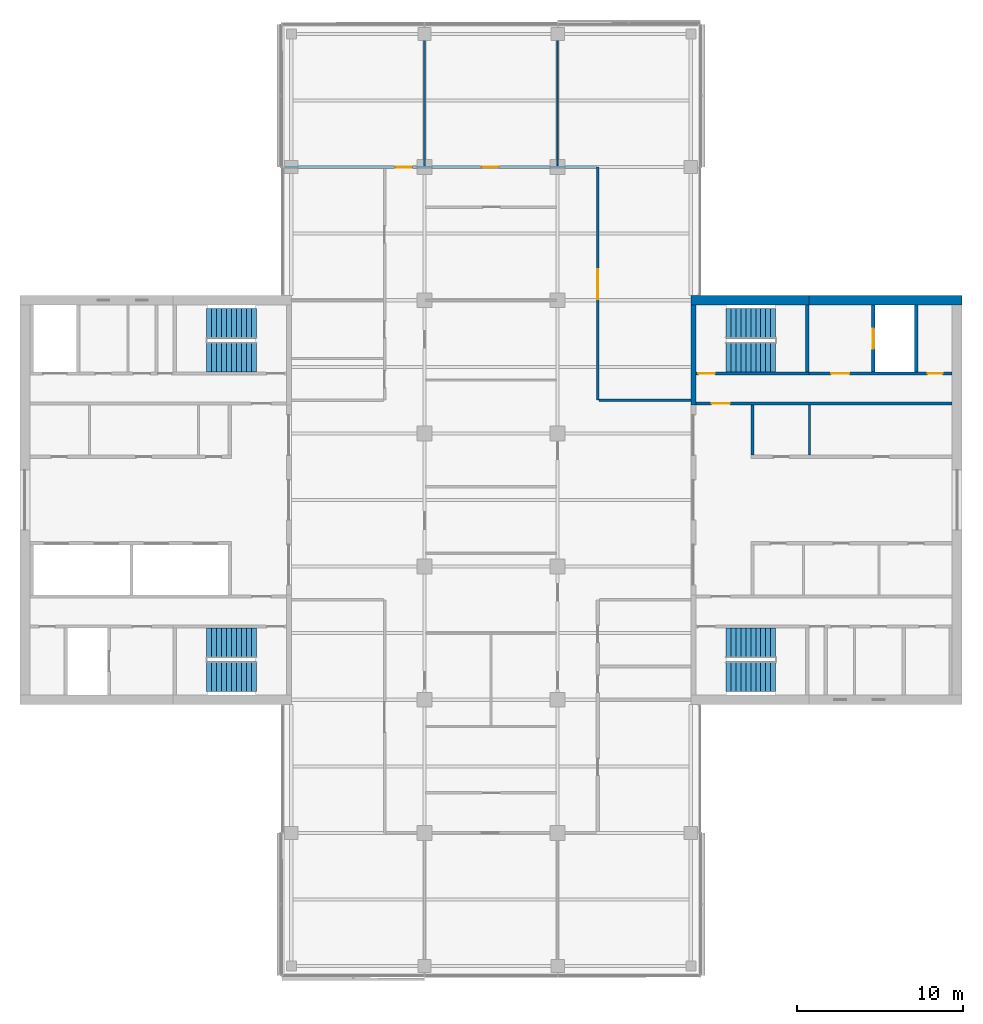
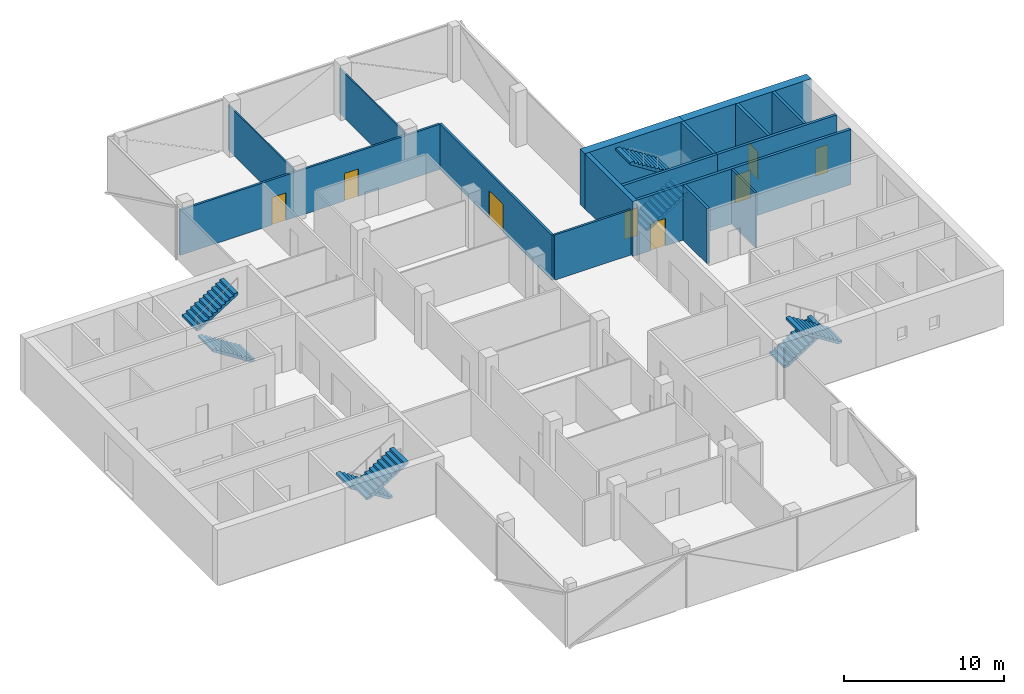
# One storey, part 12 of 15: 16 walls, 8 doors, 8 stair flights, 8 openings, 4 elements without a shape of their own.
"""IFC4 building model written with IfcOpenShell, lengths in metres."""

from ifc_helpers import new_model, si_unit, direction, frame, frame_2d, origin, place, context, subcontext, project, spatial, polyline, rectangle, outline, extrude, material, layer, layer_set, constituent, constituent_set, type_object, element, fill, aggregate, save


model = new_model("IFC4")

# Units and contexts
model_context = context("Model", 3, precision=1e-05, world=origin(), true_north=direction((0.0, 1.0)))
body_context = subcontext(model_context, "Body", "Model", "MODEL_VIEW")
ifc_project = project(units=[si_unit("LENGTHUNIT", "METRE"), si_unit("AREAUNIT", "SQUARE_METRE"), si_unit("VOLUMEUNIT", "CUBIC_METRE"), si_unit("PLANEANGLEUNIT", "RADIAN"), si_unit("MASSUNIT", "GRAM", prefix="KILO")], contexts=[model_context])

# Site, building, storey
site_placement = place(None, origin())
site = spatial("IfcSite", under=ifc_project, at=site_placement, CompositionType="ELEMENT")
building_placement = place(site_placement, origin())
building = spatial("IfcBuilding", under=site, at=building_placement, Name="Crosswind Convention Tower", CompositionType="ELEMENT")
storey_placement = place(building_placement, frame((0.0, 0.0, 191.5)))
storey = spatial("IfcBuildingStorey", under=building, at=storey_placement, Name="L40", CompositionType="ELEMENT", Elevation=191.5)

# Walls
ifc_material_1 = material(Name="Concrete C50/60", Category="concrete")
ifc_layer_1 = layer(ifc_material_1, 0.300048828125)
ifc_layer_set_1 = layer_set([ifc_layer_1], Name="Concrete C50/60")
wall_type_1 = type_object("IfcWallType", Name="Concrete inner core wall 300", PredefinedType="SHEAR", material=ifc_layer_set_1)
wall_1_placement = place(storey_placement, frame((137.14990234375, 105.699951171875, 0.0), z_axis=(0.0, 0.0, 1.0), x_axis=(0.0, 1.0, 0.0)))
element("IfcWall", 1, at=wall_1_placement, inside=storey, type_object=wall_type_1, Name="Wall EP E L40", PredefinedType="SHEAR", context=body_context, shape_type="SweptSolid", body=[
    extrude(rectangle(XDim=6.0, YDim=0.300048828125, at=frame_2d((3.0, 0.0))), origin(), (0.0, 0.0, 1.0), 4.199951171875),
])
ifc_layer_2 = layer(ifc_material_1, 0.199951171875)
ifc_layer_set_2 = layer_set([ifc_layer_2], Name="Concrete C50/60")
wall_type_2 = type_object("IfcWallType", Name="Concrete shaft and stair wall 200", PredefinedType="SHEAR", material=ifc_layer_set_2)
wall_2_placement = place(storey_placement, frame((140.699951171875, 102.699951171875, 0.0), z_axis=(0.0, 0.0, 1.0), x_axis=(0.0, 1.0, 0.0)))
element("IfcWall", 2, at=wall_2_placement, inside=storey, type_object=wall_type_2, Name="Wall RPEND E L40", PredefinedType="SHEAR", context=body_context, shape_type="SweptSolid", body=[
    extrude(rectangle(XDim=3.0, YDim=0.199951171875, at=frame_2d((1.5, 0.0))), origin(), (0.0, 0.0, 1.0), 4.199951171875),
])

# Wall, opening, door
wall_3_placement = place(storey_placement, frame((137.300048828125, 105.800048828125, 0.0), z_axis=(0.0, 0.0, 1.0), x_axis=(1.0, 0.0, 0.0)))
wall_3 = element("IfcWall", 3, at=wall_3_placement, inside=storey, type_object=wall_type_2, Name="Wall HP E L40", PredefinedType="SHEAR", context=body_context, shape_type="SweptSolid", body=[
    extrude(rectangle(XDim=15.39990234375, YDim=0.199951171875, at=frame_2d((7.699951171875, 0.0))), origin(), (0.0, 0.0, 1.0), 4.199951171875),
])
opening_1_placement = place(wall_3_placement, frame((0.949951171875, 0.0, 0.0)))
opening_1 = element("IfcOpeningElement", 4, at=opening_1_placement, cuts=wall_3, Name="Opening D104", PredefinedType="OPENING", context=body_context, shape_type="SweptSolid", body=[
    extrude(rectangle(XDim=1.10009765625, YDim=2.10009765625, at=frame_2d((0.550048828125, 1.050048828125))), frame((0.0, 0.10986328125, 0.0), z_axis=(0.0, -1.0, 0.0), x_axis=(1.0, 0.0, 0.0)), (0.0, 0.0, 1.0), 0.219970703125),
])
ifc_material_2 = material(Name="Steel fire door", Category="steel")
door_type_1 = type_object("IfcDoorType", Name="Fire-rated single door 1100x2100", OperationType="NOTDEFINED", PredefinedType="DOOR", material=ifc_material_2)
door_1_placement = place(opening_1_placement, origin())
door_1 = element("IfcDoor", 5, at=door_1_placement, inside=storey, type_object=door_type_1, Name="Corridor door L40", ObjectType="D104", OperationType="SINGLE_SWING_LEFT", OverallHeight=2.10009765625, OverallWidth=1.10009765625, PredefinedType="DOOR", context=body_context, shape_type="SweptSolid", body=[
    extrude(rectangle(XDim=1.10009765625, YDim=2.10009765625, at=frame_2d((0.550048828125, 1.050048828125))), frame((0.0, 0.02490234375, 0.0), z_axis=(0.0, -1.0, 0.0), x_axis=(1.0, 0.0, 0.0)), (0.0, 0.0, 1.0), 0.050048828125),
])
fill(opening_1, door_1)

# Wall
wall_4_placement = place(storey_placement, frame((144.0, 107.699951171875, 0.0), z_axis=(0.0, 0.0, 1.0), x_axis=(0.0, 1.0, 0.0)))
element("IfcWall", 6, at=wall_4_placement, inside=storey, type_object=wall_type_2, Name="Wall PSE E L40", PredefinedType="SHEAR", context=body_context, shape_type="SweptSolid", body=[
    extrude(rectangle(XDim=4.0, YDim=0.199951171875, at=frame_2d((2.0, 0.0))), origin(), (0.0, 0.0, 1.0), 4.199951171875),
])

# Wall, opening, door
wall_5_placement = place(storey_placement, frame((147.949951171875, 107.699951171875, 0.0), z_axis=(0.0, 0.0, 1.0), x_axis=(0.0, 1.0, 0.0)))
wall_5 = element("IfcWall", 7, at=wall_5_placement, inside=storey, type_object=wall_type_2, Name="Wall PFLW E L40", PredefinedType="SHEAR", context=body_context, shape_type="SweptSolid", body=[
    extrude(rectangle(XDim=4.0, YDim=0.199951171875, at=frame_2d((2.0, 0.0))), origin(), (0.0, 0.0, 1.0), 4.199951171875),
])
opening_2_placement = place(wall_5_placement, frame((1.39990234375, 0.0, 0.0)))
opening_2 = element("IfcOpeningElement", 8, at=opening_2_placement, cuts=wall_5, Name="Opening LD1", PredefinedType="OPENING", context=body_context, shape_type="SweptSolid", body=[
    extrude(rectangle(XDim=1.199951171875, YDim=2.10009765625, at=frame_2d((0.60009765625, 1.050048828125))), frame((0.0, 0.10986328125, 0.0), z_axis=(0.0, -1.0, 0.0), x_axis=(1.0, 0.0, 0.0)), (0.0, 0.0, 1.0), 0.219970703125),
])
ifc_material_3 = material(Name="Stainless steel", Category="steel")
door_type_2 = type_object("IfcDoorType", Name="Lift landing door 1200x2100", OperationType="DOUBLE_DOOR_SLIDING", PredefinedType="DOOR", material=ifc_material_3)
door_2_placement = place(opening_2_placement, origin())
door_2 = element("IfcDoor", 9, at=door_2_placement, inside=storey, type_object=door_type_2, Name="Landing door FF1 L40", ObjectType="LD1", OperationType="DOUBLE_DOOR_SLIDING", OverallHeight=2.10009765625, OverallWidth=1.199951171875, PredefinedType="DOOR", context=body_context, shape_type="SweptSolid", body=[
    extrude(rectangle(XDim=1.199951171875, YDim=2.10009765625, at=frame_2d((0.60009765625, 1.050048828125))), frame((0.0, 0.02490234375, 0.0), z_axis=(0.0, -1.0, 0.0), x_axis=(1.0, 0.0, 0.0)), (0.0, 0.0, 1.0), 0.050048828125),
])
fill(opening_2, door_2)

# Wall
wall_6_placement = place(storey_placement, frame((150.550048828125, 107.699951171875, 0.0), z_axis=(0.0, 0.0, 1.0), x_axis=(0.0, 1.0, 0.0)))
element("IfcWall", 10, at=wall_6_placement, inside=storey, type_object=wall_type_2, Name="Wall PFSE E L40", PredefinedType="SHEAR", context=body_context, shape_type="SweptSolid", body=[
    extrude(rectangle(XDim=4.0, YDim=0.199951171875, at=frame_2d((2.0, 0.0))), origin(), (0.0, 0.0, 1.0), 4.199951171875),
])

# Wall, opening, door
wall_7_placement = place(storey_placement, frame((137.300048828125, 107.60009765625, 0.0), z_axis=(0.0, 0.0, 1.0), x_axis=(1.0, 0.0, 0.0)))
wall_7 = element("IfcWall", 11, at=wall_7_placement, inside=storey, type_object=wall_type_2, Name="Wall PCW E L40", PredefinedType="SHEAR", context=body_context, shape_type="SweptSolid", body=[
    extrude(rectangle(XDim=6.800048828125, YDim=0.199951171875, at=frame_2d((3.39990234375, 0.0))), origin(), (0.0, 0.0, 1.0), 4.199951171875),
])
opening_3_placement = place(wall_7_placement, frame((0.14990234375, 0.0, 0.0)))
opening_3 = element("IfcOpeningElement", 12, at=opening_3_placement, cuts=wall_7, Name="Opening D103", PredefinedType="OPENING", context=body_context, shape_type="SweptSolid", body=[
    extrude(rectangle(XDim=1.0, YDim=2.10009765625, at=frame_2d((0.5, 1.050048828125))), frame((0.0, 0.10986328125, 0.0), z_axis=(0.0, -1.0, 0.0), x_axis=(1.0, 0.0, 0.0)), (0.0, 0.0, 1.0), 0.219970703125),
])
door_type_3 = type_object("IfcDoorType", Name="Fire-rated single door 1000x2100", OperationType="NOTDEFINED", PredefinedType="DOOR", material=ifc_material_2)
door_3_placement = place(opening_3_placement, origin())
door_3 = element("IfcDoor", 13, at=door_3_placement, inside=storey, type_object=door_type_3, Name="Stair ST1 door L40", ObjectType="D103", OperationType="SINGLE_SWING_LEFT", OverallHeight=2.10009765625, OverallWidth=1.0, PredefinedType="DOOR", context=body_context, shape_type="SweptSolid", body=[
    extrude(rectangle(XDim=1.0, YDim=2.10009765625, at=frame_2d((0.5, 1.050048828125))), frame((0.0, 0.02490234375, 0.0), z_axis=(0.0, -1.0, 0.0), x_axis=(1.0, 0.0, 0.0)), (0.0, 0.0, 1.0), 0.050048828125),
])
fill(opening_3, door_3)

# Wall, openings, doors
wall_8_placement = place(storey_placement, frame((144.10009765625, 107.60009765625, 0.0), z_axis=(0.0, 0.0, 1.0), x_axis=(1.0, 0.0, 0.0)))
wall_8 = element("IfcWall", 14, at=wall_8_placement, inside=storey, type_object=wall_type_2, Name="Wall PCX E L40", PredefinedType="SHEAR", context=body_context, shape_type="SweptSolid", body=[
    extrude(rectangle(XDim=8.599853515625, YDim=0.199951171875, at=frame_2d((4.2998046875, 0.0))), origin(), (0.0, 0.0, 1.0), 4.199951171875),
])
opening_4_placement = place(wall_8_placement, frame((1.324951171875, 0.0, 0.0)))
opening_4 = element("IfcOpeningElement", 15, at=opening_4_placement, cuts=wall_8, Name="Opening D104", PredefinedType="OPENING", context=body_context, shape_type="SweptSolid", body=[
    extrude(rectangle(XDim=1.10009765625, YDim=2.10009765625, at=frame_2d((0.550048828125, 1.050048828125))), frame((0.0, 0.10986328125, 0.0), z_axis=(0.0, -1.0, 0.0), x_axis=(1.0, 0.0, 0.0)), (0.0, 0.0, 1.0), 0.219970703125),
])
opening_5_placement = place(wall_8_placement, frame((7.125, 0.0, 0.0)))
opening_5 = element("IfcOpeningElement", 16, at=opening_5_placement, cuts=wall_8, Name="Opening D106", PredefinedType="OPENING", context=body_context, shape_type="SweptSolid", body=[
    extrude(rectangle(XDim=0.89990234375, YDim=2.10009765625, at=frame_2d((0.449951171875, 1.050048828125))), frame((0.0, 0.10986328125, 0.0), z_axis=(0.0, -1.0, 0.0), x_axis=(1.0, 0.0, 0.0)), (0.0, 0.0, 1.0), 0.219970703125),
])
door_4_placement = place(opening_4_placement, origin())
door_4 = element("IfcDoor", 17, at=door_4_placement, inside=storey, type_object=door_type_1, Name="Fire-fighting lobby FF1 door L40", ObjectType="D104", OperationType="SINGLE_SWING_RIGHT", OverallHeight=2.10009765625, OverallWidth=1.10009765625, PredefinedType="DOOR", context=body_context, shape_type="SweptSolid", body=[
    extrude(rectangle(XDim=1.10009765625, YDim=2.10009765625, at=frame_2d((0.550048828125, 1.050048828125))), frame((0.0, 0.02490234375, 0.0), z_axis=(0.0, -1.0, 0.0), x_axis=(1.0, 0.0, 0.0)), (0.0, 0.0, 1.0), 0.050048828125),
])
fill(opening_4, door_4)
ifc_material_4 = material(Name="Timber door", Category="wood")
door_type_4 = type_object("IfcDoorType", Name="Single leaf door 900x2100", OperationType="NOTDEFINED", PredefinedType="DOOR", material=ifc_material_4)
door_5_placement = place(opening_5_placement, origin())
door_5 = element("IfcDoor", 18, at=door_5_placement, inside=storey, type_object=door_type_4, Name="Door to comms room L40", ObjectType="D106", OperationType="SINGLE_SWING_RIGHT", OverallHeight=2.10009765625, OverallWidth=0.89990234375, PredefinedType="DOOR", context=body_context, shape_type="SweptSolid", body=[
    extrude(rectangle(XDim=0.89990234375, YDim=2.10009765625, at=frame_2d((0.449951171875, 1.050048828125))), frame((0.0, 0.02490234375, 0.0), z_axis=(0.0, -1.0, 0.0), x_axis=(1.0, 0.0, 0.0)), (0.0, 0.0, 1.0), 0.050048828125),
])
fill(opening_5, door_5)

# Walls
ifc_material_5 = material(Name="Gypsum plasterboard partition", Category="gypsum")
ifc_layer_3 = layer(ifc_material_5, 0.125)
ifc_layer_set_3 = layer_set([ifc_layer_3], Name="Drywall partition wall 125")
wall_type_3 = type_object("IfcWallType", Name="Drywall partition wall 125", PredefinedType="PARTITIONING", material=ifc_layer_set_3)
wall_9_placement = place(storey_placement, frame((144.132080078125, 102.699951171875, 0.0), z_axis=(0.0, 0.0, 1.0), x_axis=(0.0, 1.0, 0.0)))
element("IfcWall", 19, at=wall_9_placement, inside=storey, type_object=wall_type_3, Name="Wall RPP1 E L40", PredefinedType="PARTITIONING", context=body_context, shape_type="SweptSolid", body=[
    extrude(rectangle(XDim=3.0, YDim=0.125, at=frame_2d((1.5, 0.0))), origin(), (0.0, 0.0, 1.0), 4.199951171875),
])
ifc_material_6 = material(Name="Plasterboard partition", Category="gypsum")
ifc_layer_4 = layer(ifc_material_6, 0.10009765625)
ifc_layer_set_4 = layer_set([ifc_layer_4], Name="PARTITION 100 METAL STUD")
wall_type_4 = type_object("IfcWallType", Name="PARTITION 100 METAL STUD", PredefinedType="PARTITIONING", material=ifc_layer_set_4)
for number, where, z_axis, x_axis, name in (
    (20, (121.0, 120.074951171875, 0.0), (0.0, 0.0, 1.0), (0.0, 1.0, 0.0), "Partition wall WT40"),
    (21, (129.0, 120.074951171875, 0.0), (0.0, 0.0, 1.0), (0.0, 1.0, 0.0), "Partition wall WT40"),
):
    element("IfcWall", number, at=place(storey_placement, frame(where, z_axis=z_axis, x_axis=x_axis)), inside=storey, type_object=wall_type_4, Name=name, PredefinedType="PARTITIONING", context=body_context, shape_type="SweptSolid", body=[
        extrude(rectangle(XDim=8.295166015625, YDim=0.10009765625, at=frame_2d((4.1474609375, 0.0))), origin(), (0.0, 0.0, 1.0), 3.439697265625),
    ])

# Wall, opening, door
ifc_material_7 = material(Name="Fire-board partition with mineral wool", Category="gypsum")
ifc_layer_5 = layer(ifc_material_7, 0.14990234375)
ifc_layer_set_5 = layer_set([ifc_layer_5], Name="TENANCY WALL 150 TWO-HOUR BOARD")
wall_type_5 = type_object("IfcWallType", Name="TENANCY WALL 150 TWO-HOUR BOARD", PredefinedType="PARTITIONING", material=ifc_layer_set_5)
wall_10_placement = place(storey_placement, frame((131.39990234375, 106.0, 0.0), z_axis=(0.0, 0.0, 1.0), x_axis=(0.0, 1.0, 0.0)))
wall_10 = element("IfcWall", 22, at=wall_10_placement, inside=storey, type_object=wall_type_5, Name="Tenancy wall WT41", PredefinedType="PARTITIONING", context=body_context, shape_type="SweptSolid", body=[
    extrude(rectangle(XDim=14.0, YDim=0.14990234375, at=frame_2d((7.0, 0.0))), origin(), (0.0, 0.0, 1.0), 3.439697265625),
])
opening_6_placement = place(wall_10_placement, frame((6.050048828125, 0.0, 0.0)))
opening_6 = element("IfcOpeningElement", 23, at=opening_6_placement, cuts=wall_10, Name="Opening L40-50", PredefinedType="OPENING", context=body_context, shape_type="SweptSolid", body=[
    extrude(rectangle(XDim=1.800048828125, YDim=2.10009765625, at=frame_2d((0.89990234375, 1.050048828125))), frame((0.0, 0.0849609375, 0.0), z_axis=(0.0, -1.0, 0.0), x_axis=(1.0, 0.0, 0.0)), (0.0, 0.0, 1.0), 0.169921875),
])
ifc_material_8 = material(Name="Timber fire door", Category="wood")
door_type_5 = type_object("IfcDoorType", Name="TENANCY ENTRANCE DOUBLE DOOR 1800X2100 FD30S", OperationType="DOUBLE_DOOR_SINGLE_SWING", PredefinedType="DOOR", material=ifc_material_8)
door_6_placement = place(opening_6_placement, frame((1.800048828125, 0.0, 0.0), z_axis=(0.0, 0.0, 1.0), x_axis=(-1.0, 0.0, 0.0)))
door_6 = element("IfcDoor", 24, at=door_6_placement, inside=storey, type_object=door_type_5, Name="Door L40-50", ObjectType="D42", OperationType="DOUBLE_DOOR_SINGLE_SWING", OverallHeight=2.10009765625, OverallWidth=1.800048828125, PredefinedType="DOOR", context=body_context, shape_type="SweptSolid", body=[
    extrude(rectangle(XDim=1.800048828125, YDim=2.10009765625, at=frame_2d((0.89990234375, 1.050048828125))), frame((0.0, 0.02490234375, 0.0), z_axis=(0.0, -1.0, 0.0), x_axis=(1.0, 0.0, 0.0)), (0.0, 0.0, 1.0), 0.050048828125),
])
fill(opening_6, door_6)

# Wall
wall_11_placement = place(storey_placement, frame((131.47509765625, 106.0, 0.0), z_axis=(0.0, 0.0, 1.0), x_axis=(1.0, 0.0, 0.0)))
element("IfcWall", 25, at=wall_11_placement, inside=storey, type_object=wall_type_5, Name="Tenancy wall WT41", PredefinedType="PARTITIONING", context=body_context, shape_type="SweptSolid", body=[
    extrude(rectangle(XDim=5.52490234375, YDim=0.14990234375, at=frame_2d((2.762451171875, 0.0))), origin(), (0.0, 0.0, 1.0), 3.439697265625),
])

# Wall, openings, doors
wall_12_placement = place(storey_placement, frame((112.6298828125, 120.0, 0.0), z_axis=(0.0, 0.0, 1.0), x_axis=(1.0, 0.0, 0.0)))
wall_12 = element("IfcWall", 26, at=wall_12_placement, inside=storey, type_object=wall_type_5, Name="Tenancy wall WT41", PredefinedType="PARTITIONING", context=body_context, shape_type="SweptSolid", body=[
    extrude(rectangle(XDim=18.695068359375, YDim=0.14990234375, at=frame_2d((9.34765625, 0.0))), origin(), (0.0, 0.0, 1.0), 3.439697265625),
])
opening_7_placement = place(wall_12_placement, frame((6.6201171875, 0.0, 0.0)))
opening_7 = element("IfcOpeningElement", 27, at=opening_7_placement, cuts=wall_12, Name="Opening L40-58", PredefinedType="OPENING", context=body_context, shape_type="SweptSolid", body=[
    extrude(rectangle(XDim=1.0, YDim=2.10009765625, at=frame_2d((0.5, 1.050048828125))), frame((0.0, 0.0849609375, 0.0), z_axis=(0.0, -1.0, 0.0), x_axis=(1.0, 0.0, 0.0)), (0.0, 0.0, 1.0), 0.169921875),
])
opening_8_placement = place(wall_12_placement, frame((11.820068359375, 0.0, 0.0)))
opening_8 = element("IfcOpeningElement", 28, at=opening_8_placement, cuts=wall_12, Name="Opening L40-59", PredefinedType="OPENING", context=body_context, shape_type="SweptSolid", body=[
    extrude(rectangle(XDim=1.0, YDim=2.10009765625, at=frame_2d((0.5, 1.050048828125))), frame((0.0, 0.0849609375, 0.0), z_axis=(0.0, -1.0, 0.0), x_axis=(1.0, 0.0, 0.0)), (0.0, 0.0, 1.0), 0.169921875),
])
door_type_6 = type_object("IfcDoorType", Name="TENANCY ENTRANCE DOOR 1000X2100 FD30S", OperationType="NOTDEFINED", PredefinedType="DOOR", material=ifc_material_8)
door_7_placement = place(opening_7_placement, origin())
door_7 = element("IfcDoor", 29, at=door_7_placement, inside=storey, type_object=door_type_6, Name="Door L40-58", ObjectType="D41", OperationType="SINGLE_SWING_RIGHT", OverallHeight=2.10009765625, OverallWidth=1.0, PredefinedType="DOOR", context=body_context, shape_type="SweptSolid", body=[
    extrude(rectangle(XDim=1.0, YDim=2.10009765625, at=frame_2d((0.5, 1.050048828125))), frame((0.0, 0.02490234375, 0.0), z_axis=(0.0, -1.0, 0.0), x_axis=(1.0, 0.0, 0.0)), (0.0, 0.0, 1.0), 0.050048828125),
])
fill(opening_7, door_7)
door_8_placement = place(opening_8_placement, frame((1.0, 0.0, 0.0), z_axis=(0.0, 0.0, 1.0), x_axis=(-1.0, 0.0, 0.0)))
door_8 = element("IfcDoor", 30, at=door_8_placement, inside=storey, type_object=door_type_6, Name="Door L40-59", ObjectType="D41", OperationType="SINGLE_SWING_RIGHT", OverallHeight=2.10009765625, OverallWidth=1.0, PredefinedType="DOOR", context=body_context, shape_type="SweptSolid", body=[
    extrude(rectangle(XDim=1.0, YDim=2.10009765625, at=frame_2d((0.5, 1.050048828125))), frame((0.0, 0.02490234375, 0.0), z_axis=(0.0, -1.0, 0.0), x_axis=(1.0, 0.0, 0.0)), (0.0, 0.0, 1.0), 0.050048828125),
])
fill(opening_8, door_8)

# Walls
ifc_material_9 = material(Name="Concrete C60/75", Category="concrete")
ifc_constituent_1 = constituent(ifc_material_9, Name="Structure")
ifc_material_10 = material(Name="Terracotta rainscreen", Category="ceramic")
ifc_constituent_2 = constituent(ifc_material_10, Name="Facing")
ifc_constituent_set = constituent_set(constituents=[ifc_constituent_1, ifc_constituent_2], Name="Concrete C60/75, Terracotta rainscreen")
wall_type_6 = type_object("IfcWallType", Name="Terracotta rainscreen on concrete core wall 600", PredefinedType="SHEAR", material=ifc_constituent_set)
wall_13_placement = place(storey_placement, frame((137.0, 112.0, 0.0), z_axis=(0.0, 0.0, 1.0), x_axis=(1.0, 0.0, 0.0)))
element("IfcWall", 31, at=wall_13_placement, inside=storey, type_object=wall_type_6, Name="Wall N1 E L40", PredefinedType="SHEAR", context=body_context, shape_type="SweptSolid", body=[
    extrude(rectangle(XDim=7.10009765625, YDim=0.60009765625, at=frame_2d((3.550048828125, 0.0))), origin(), (0.0, 0.0, 1.0), 4.199951171875),
])
wall_14_placement = place(storey_placement, frame((144.10009765625, 112.0, 0.0), z_axis=(0.0, 0.0, 1.0), x_axis=(1.0, 0.0, 0.0)))
element("IfcWall", 32, at=wall_14_placement, inside=storey, type_object=wall_type_6, Name="Wall N2 E L40", PredefinedType="SHEAR", context=body_context, shape_type="SweptSolid", body=[
    extrude(rectangle(XDim=9.199951171875, YDim=0.60009765625, at=frame_2d((4.60009765625, 0.0))), origin(), (0.0, 0.0, 1.0), 4.199951171875),
])

# Stair, stair flights
ifc_material_11 = material(Name="Concrete C40/50", Category="concrete")
stair_type = type_object("IfcStairType", Name="Exit stair 1800 wide, 2 flights of 11 risers", PredefinedType="HALF_TURN_STAIR", material=ifc_material_11)
stair_1_placement = place(storey_placement, origin())
stair_1 = element("IfcStair", 33, at=stair_1_placement, inside=storey, type_object=stair_type, Name="Exit stair ST1 L40", ObjectType="ST5", PredefinedType="HALF_TURN_STAIR")
stair_flight_type = type_object("IfcStairFlightType", Name="Stair flight 1800 wide, 11 risers (SF4)", PredefinedType="STRAIGHT", material=ifc_material_11)
stair_flight_1_placement = place(storey_placement, frame((139.10009765625, 108.60009765625, 0.0), z_axis=(0.0, 0.0, 1.0), x_axis=(1.0, 0.0, 0.0)))
stair_flight_1 = element("IfcStairFlight", 34, at=stair_flight_1_placement, type_object=stair_flight_type, Name="ST1 flight 1", NumberOfRisers=11, NumberOfTreads=10, PredefinedType="STRAIGHT", RiserHeight=0.190909091, TreadLength=0.3, context=body_context, shape_type="SweptSolid", body=[
    extrude(outline(polyline([(0.0, 0.0), (0.0, 0.19091796875), (0.300048828125, 0.19091796875), (0.300048828125, 0.3818359375), (0.60009765625, 0.3818359375), (0.60009765625, 0.57275390625), (0.89990234375, 0.57275390625), (0.89990234375, 0.763671875), (1.199951171875, 0.763671875), (1.199951171875, 0.95458984375), (1.5, 0.95458984375), (1.5, 1.1455078125), (1.800048828125, 1.1455078125), (1.800048828125, 1.33642578125), (2.10009765625, 1.33642578125), (2.10009765625, 1.52734375), (2.39990234375, 1.52734375), (2.39990234375, 1.71826171875), (2.699951171875, 1.71826171875), (2.699951171875, 1.9091796875), (3.0, 1.9091796875), (3.0, 2.10009765625), (3.0, 1.7314453125), (0.279296875, 0.0), (0.0, 0.0)])), frame((0.0, 0.89990234375, 0.0), z_axis=(0.0, -1.0, 0.0), x_axis=(1.0, 0.0, 0.0)), (0.0, 0.0, 1.0), 1.800048828125),
])
stair_flight_2_placement = place(storey_placement, frame((142.10009765625, 110.60009765625, 2.10009765625), z_axis=(0.0, 0.0, 1.0), x_axis=(-1.0, 0.0, 0.0)))
stair_flight_2 = element("IfcStairFlight", 35, at=stair_flight_2_placement, type_object=stair_flight_type, Name="ST1 flight 2", NumberOfRisers=11, NumberOfTreads=10, PredefinedType="STRAIGHT", RiserHeight=0.190909091, TreadLength=0.3, context=body_context, shape_type="SweptSolid", body=[
    extrude(outline(polyline([(0.0, 0.0), (0.0, 0.19091796875), (0.300048828125, 0.19091796875), (0.300048828125, 0.3818359375), (0.60009765625, 0.3818359375), (0.60009765625, 0.57275390625), (0.89990234375, 0.57275390625), (0.89990234375, 0.763671875), (1.199951171875, 0.763671875), (1.199951171875, 0.95458984375), (1.5, 0.95458984375), (1.5, 1.1455078125), (1.800048828125, 1.1455078125), (1.800048828125, 1.33642578125), (2.10009765625, 1.33642578125), (2.10009765625, 1.52734375), (2.39990234375, 1.52734375), (2.39990234375, 1.71826171875), (2.699951171875, 1.71826171875), (2.699951171875, 1.9091796875), (3.0, 1.9091796875), (3.0, 2.10009765625), (3.0, 1.7314453125), (0.279296875, 0.0), (0.0, 0.0)])), frame((0.0, 0.89990234375, 0.0), z_axis=(0.0, -1.0, 0.0), x_axis=(1.0, 0.0, 0.0)), (0.0, 0.0, 1.0), 1.800048828125),
])
aggregate(stair_1, [stair_flight_1, stair_flight_2])

stair_2_placement = place(storey_placement, origin())
stair_2 = element("IfcStair", 36, at=stair_2_placement, inside=storey, type_object=stair_type, Name="Exit stair ST2 L40", ObjectType="ST5", PredefinedType="HALF_TURN_STAIR")
stair_flight_3_placement = place(storey_placement, frame((139.10009765625, 91.39990234375, 0.0), z_axis=(0.0, 0.0, 1.0), x_axis=(1.0, 0.0, 0.0)))
stair_flight_3 = element("IfcStairFlight", 37, at=stair_flight_3_placement, type_object=stair_flight_type, Name="ST2 flight 1", NumberOfRisers=11, NumberOfTreads=10, PredefinedType="STRAIGHT", RiserHeight=0.190909091, TreadLength=0.3, context=body_context, shape_type="SweptSolid", body=[
    extrude(outline(polyline([(0.0, 0.0), (0.0, 0.19091796875), (0.300048828125, 0.19091796875), (0.300048828125, 0.3818359375), (0.60009765625, 0.3818359375), (0.60009765625, 0.57275390625), (0.89990234375, 0.57275390625), (0.89990234375, 0.763671875), (1.199951171875, 0.763671875), (1.199951171875, 0.95458984375), (1.5, 0.95458984375), (1.5, 1.1455078125), (1.800048828125, 1.1455078125), (1.800048828125, 1.33642578125), (2.10009765625, 1.33642578125), (2.10009765625, 1.52734375), (2.39990234375, 1.52734375), (2.39990234375, 1.71826171875), (2.699951171875, 1.71826171875), (2.699951171875, 1.9091796875), (3.0, 1.9091796875), (3.0, 2.10009765625), (3.0, 1.7314453125), (0.279296875, 0.0), (0.0, 0.0)])), frame((0.0, 0.89990234375, 0.0), z_axis=(0.0, -1.0, 0.0), x_axis=(1.0, 0.0, 0.0)), (0.0, 0.0, 1.0), 1.800048828125),
])
stair_flight_4_placement = place(storey_placement, frame((142.10009765625, 89.39990234375, 2.10009765625), z_axis=(0.0, 0.0, 1.0), x_axis=(-1.0, 0.0, 0.0)))
stair_flight_4 = element("IfcStairFlight", 38, at=stair_flight_4_placement, type_object=stair_flight_type, Name="ST2 flight 2", NumberOfRisers=11, NumberOfTreads=10, PredefinedType="STRAIGHT", RiserHeight=0.190909091, TreadLength=0.3, context=body_context, shape_type="SweptSolid", body=[
    extrude(outline(polyline([(0.0, 0.0), (0.0, 0.19091796875), (0.300048828125, 0.19091796875), (0.300048828125, 0.3818359375), (0.60009765625, 0.3818359375), (0.60009765625, 0.57275390625), (0.89990234375, 0.57275390625), (0.89990234375, 0.763671875), (1.199951171875, 0.763671875), (1.199951171875, 0.95458984375), (1.5, 0.95458984375), (1.5, 1.1455078125), (1.800048828125, 1.1455078125), (1.800048828125, 1.33642578125), (2.10009765625, 1.33642578125), (2.10009765625, 1.52734375), (2.39990234375, 1.52734375), (2.39990234375, 1.71826171875), (2.699951171875, 1.71826171875), (2.699951171875, 1.9091796875), (3.0, 1.9091796875), (3.0, 2.10009765625), (3.0, 1.7314453125), (0.279296875, 0.0), (0.0, 0.0)])), frame((0.0, 0.89990234375, 0.0), z_axis=(0.0, -1.0, 0.0), x_axis=(1.0, 0.0, 0.0)), (0.0, 0.0, 1.0), 1.800048828125),
])
aggregate(stair_2, [stair_flight_3, stair_flight_4])

stair_3_placement = place(storey_placement, origin())
stair_3 = element("IfcStair", 39, at=stair_3_placement, inside=storey, type_object=stair_type, Name="Exit stair ST3 L40", ObjectType="ST5", PredefinedType="HALF_TURN_STAIR")
stair_flight_5_placement = place(storey_placement, frame((110.89990234375, 91.39990234375, 0.0), z_axis=(0.0, 0.0, 1.0), x_axis=(-1.0, 0.0, 0.0)))
stair_flight_5 = element("IfcStairFlight", 40, at=stair_flight_5_placement, type_object=stair_flight_type, Name="ST3 flight 1", NumberOfRisers=11, NumberOfTreads=10, PredefinedType="STRAIGHT", RiserHeight=0.190909091, TreadLength=0.3, context=body_context, shape_type="SweptSolid", body=[
    extrude(outline(polyline([(0.0, 0.0), (0.0, 0.19091796875), (0.300048828125, 0.19091796875), (0.300048828125, 0.3818359375), (0.60009765625, 0.3818359375), (0.60009765625, 0.57275390625), (0.89990234375, 0.57275390625), (0.89990234375, 0.763671875), (1.199951171875, 0.763671875), (1.199951171875, 0.95458984375), (1.5, 0.95458984375), (1.5, 1.1455078125), (1.800048828125, 1.1455078125), (1.800048828125, 1.33642578125), (2.10009765625, 1.33642578125), (2.10009765625, 1.52734375), (2.39990234375, 1.52734375), (2.39990234375, 1.71826171875), (2.699951171875, 1.71826171875), (2.699951171875, 1.9091796875), (3.0, 1.9091796875), (3.0, 2.10009765625), (3.0, 1.7314453125), (0.279296875, 0.0), (0.0, 0.0)])), frame((0.0, 0.89990234375, 0.0), z_axis=(0.0, -1.0, 0.0), x_axis=(1.0, 0.0, 0.0)), (0.0, 0.0, 1.0), 1.800048828125),
])
stair_flight_6_placement = place(storey_placement, frame((107.89990234375, 89.39990234375, 2.10009765625), z_axis=(0.0, 0.0, 1.0), x_axis=(1.0, 0.0, 0.0)))
stair_flight_6 = element("IfcStairFlight", 41, at=stair_flight_6_placement, type_object=stair_flight_type, Name="ST3 flight 2", NumberOfRisers=11, NumberOfTreads=10, PredefinedType="STRAIGHT", RiserHeight=0.190909091, TreadLength=0.3, context=body_context, shape_type="SweptSolid", body=[
    extrude(outline(polyline([(0.0, 0.0), (0.0, 0.19091796875), (0.300048828125, 0.19091796875), (0.300048828125, 0.3818359375), (0.60009765625, 0.3818359375), (0.60009765625, 0.57275390625), (0.89990234375, 0.57275390625), (0.89990234375, 0.763671875), (1.199951171875, 0.763671875), (1.199951171875, 0.95458984375), (1.5, 0.95458984375), (1.5, 1.1455078125), (1.800048828125, 1.1455078125), (1.800048828125, 1.33642578125), (2.10009765625, 1.33642578125), (2.10009765625, 1.52734375), (2.39990234375, 1.52734375), (2.39990234375, 1.71826171875), (2.699951171875, 1.71826171875), (2.699951171875, 1.9091796875), (3.0, 1.9091796875), (3.0, 2.10009765625), (3.0, 1.7314453125), (0.279296875, 0.0), (0.0, 0.0)])), frame((0.0, 0.89990234375, 0.0), z_axis=(0.0, -1.0, 0.0), x_axis=(1.0, 0.0, 0.0)), (0.0, 0.0, 1.0), 1.800048828125),
])
aggregate(stair_3, [stair_flight_5, stair_flight_6])

stair_4_placement = place(storey_placement, origin())
stair_4 = element("IfcStair", 42, at=stair_4_placement, inside=storey, type_object=stair_type, Name="Exit stair ST4 L40", ObjectType="ST5", PredefinedType="HALF_TURN_STAIR")
stair_flight_7_placement = place(storey_placement, frame((110.89990234375, 108.60009765625, 0.0), z_axis=(0.0, 0.0, 1.0), x_axis=(-1.0, 0.0, 0.0)))
stair_flight_7 = element("IfcStairFlight", 43, at=stair_flight_7_placement, type_object=stair_flight_type, Name="ST4 flight 1", NumberOfRisers=11, NumberOfTreads=10, PredefinedType="STRAIGHT", RiserHeight=0.190909091, TreadLength=0.3, context=body_context, shape_type="SweptSolid", body=[
    extrude(outline(polyline([(0.0, 0.0), (0.0, 0.19091796875), (0.300048828125, 0.19091796875), (0.300048828125, 0.3818359375), (0.60009765625, 0.3818359375), (0.60009765625, 0.57275390625), (0.89990234375, 0.57275390625), (0.89990234375, 0.763671875), (1.199951171875, 0.763671875), (1.199951171875, 0.95458984375), (1.5, 0.95458984375), (1.5, 1.1455078125), (1.800048828125, 1.1455078125), (1.800048828125, 1.33642578125), (2.10009765625, 1.33642578125), (2.10009765625, 1.52734375), (2.39990234375, 1.52734375), (2.39990234375, 1.71826171875), (2.699951171875, 1.71826171875), (2.699951171875, 1.9091796875), (3.0, 1.9091796875), (3.0, 2.10009765625), (3.0, 1.7314453125), (0.279296875, 0.0), (0.0, 0.0)])), frame((0.0, 0.89990234375, 0.0), z_axis=(0.0, -1.0, 0.0), x_axis=(1.0, 0.0, 0.0)), (0.0, 0.0, 1.0), 1.800048828125),
])
stair_flight_8_placement = place(storey_placement, frame((107.89990234375, 110.60009765625, 2.10009765625), z_axis=(0.0, 0.0, 1.0), x_axis=(1.0, 0.0, 0.0)))
stair_flight_8 = element("IfcStairFlight", 44, at=stair_flight_8_placement, type_object=stair_flight_type, Name="ST4 flight 2", NumberOfRisers=11, NumberOfTreads=10, PredefinedType="STRAIGHT", RiserHeight=0.190909091, TreadLength=0.3, context=body_context, shape_type="SweptSolid", body=[
    extrude(outline(polyline([(0.0, 0.0), (0.0, 0.19091796875), (0.300048828125, 0.19091796875), (0.300048828125, 0.3818359375), (0.60009765625, 0.3818359375), (0.60009765625, 0.57275390625), (0.89990234375, 0.57275390625), (0.89990234375, 0.763671875), (1.199951171875, 0.763671875), (1.199951171875, 0.95458984375), (1.5, 0.95458984375), (1.5, 1.1455078125), (1.800048828125, 1.1455078125), (1.800048828125, 1.33642578125), (2.10009765625, 1.33642578125), (2.10009765625, 1.52734375), (2.39990234375, 1.52734375), (2.39990234375, 1.71826171875), (2.699951171875, 1.71826171875), (2.699951171875, 1.9091796875), (3.0, 1.9091796875), (3.0, 2.10009765625), (3.0, 1.7314453125), (0.279296875, 0.0), (0.0, 0.0)])), frame((0.0, 0.89990234375, 0.0), z_axis=(0.0, -1.0, 0.0), x_axis=(1.0, 0.0, 0.0)), (0.0, 0.0, 1.0), 1.800048828125),
])
aggregate(stair_4, [stair_flight_7, stair_flight_8])

save(model, "model.ifc")
